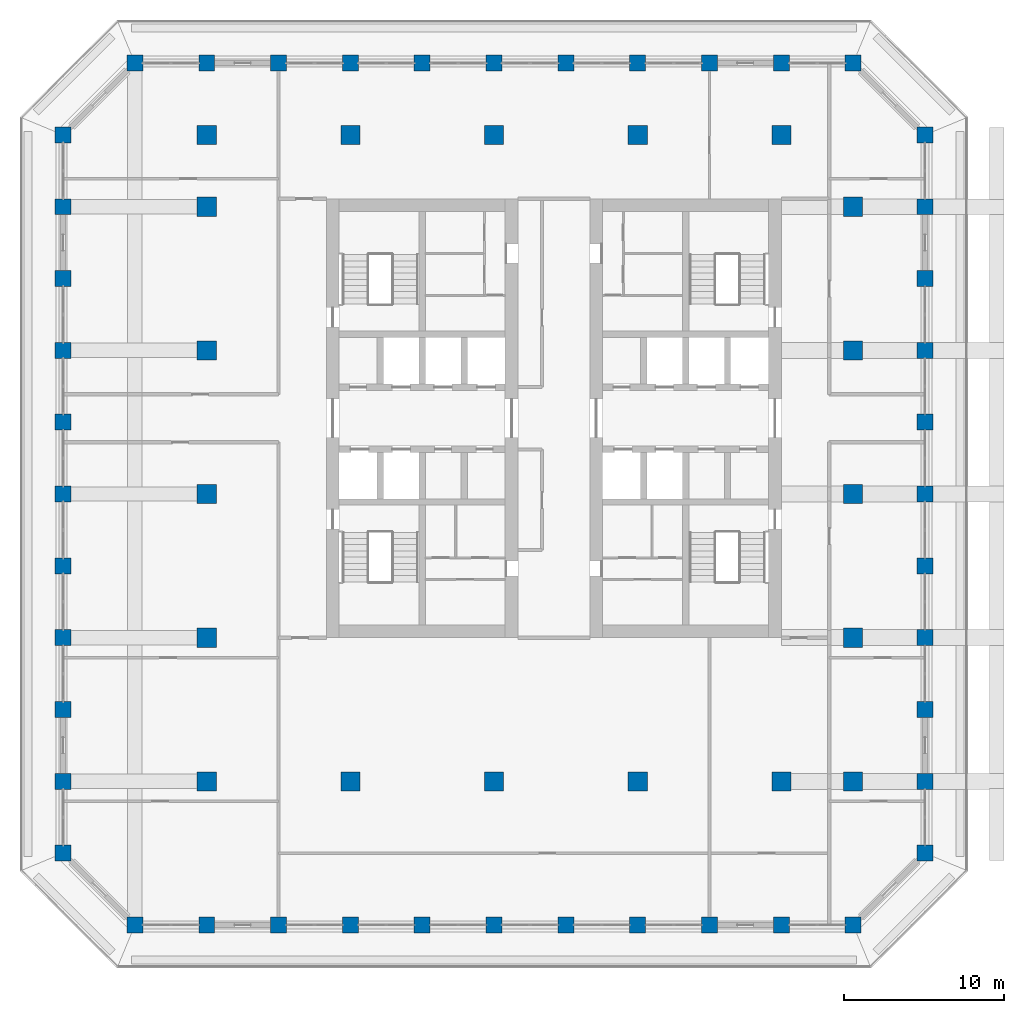
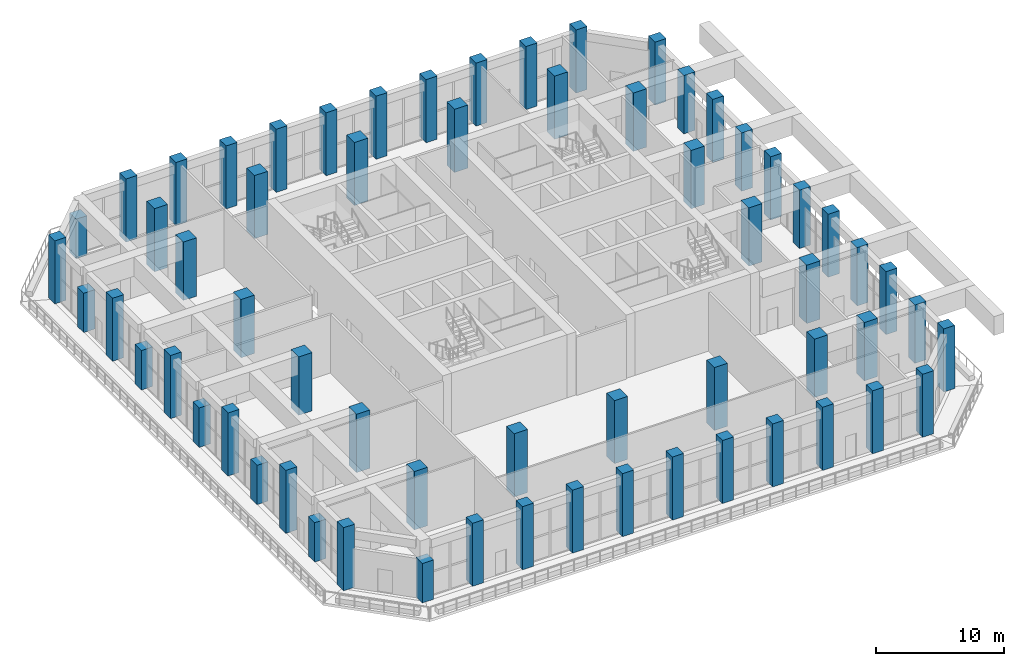
# One storey, part 1 of 25: 63 columns.
"""IFC4 building model written with IfcOpenShell, lengths in metres."""

from ifc_helpers import new_model, si_unit, direction, frame, origin, origin_2d, place, context, subcontext, project, spatial, rectangle, extrude, material, material_profile, profile_set, type_object, element, save


model = new_model("IFC4")

# Units and contexts
model_context = context("Model", 3, precision=1e-05, world=origin(), true_north=direction((0.0, 1.0)))
body_context = subcontext(model_context, "Body", "Model", "MODEL_VIEW")
ifc_project = project(units=[si_unit("LENGTHUNIT", "METRE"), si_unit("AREAUNIT", "SQUARE_METRE"), si_unit("VOLUMEUNIT", "CUBIC_METRE"), si_unit("PLANEANGLEUNIT", "RADIAN"), si_unit("MASSUNIT", "GRAM", prefix="KILO")], contexts=[model_context])

# Site, building, storey
site_placement = place(None, origin())
site = spatial("IfcSite", under=ifc_project, at=site_placement, CompositionType="ELEMENT")
building_placement = place(site_placement, origin())
building = spatial("IfcBuilding", under=site, at=building_placement, Name="Corbel Stack Research Tower", CompositionType="ELEMENT")
storey_placement = place(building_placement, frame((0.0, 0.0, 185.5)))
storey = spatial("IfcBuildingStorey", under=building, at=storey_placement, Name="L42", CompositionType="ELEMENT", Elevation=185.5)

# Columns
ifc_material_1 = material(Name="Concrete C60/75", Category="concrete")
ifc_material_profile_1 = material_profile(ifc_material_1, rectangle(XDim=1.0, YDim=1.0, at=origin_2d()), Name="RC 1000 x 1000")
ifc_profile_set_1 = profile_set([ifc_material_profile_1], Name="Concrete C60/75")
column_type_1 = type_object("IfcColumnType", Name="C-1000-60", PredefinedType="COLUMN", material=ifc_profile_set_1)
for number, where, z_axis, x_axis, name in (
    (1, (-27.0, -22.5, 0.0), (0.0, 0.0, 1.0), (1.0, 0.0, 0.0), "Column 2/C L42"),
    (2, (-27.0, -13.5, 0.0), (0.0, 0.0, 1.0), (1.0, 0.0, 0.0), "Column 2/E L42"),
    (3, (-27.0, -4.5, 0.0), (0.0, 0.0, 1.0), (1.0, 0.0, 0.0), "Column 2/G L42"),
    (4, (-27.0, 4.5, 0.0), (0.0, 0.0, 1.0), (1.0, 0.0, 0.0), "Column 2/J L42"),
    (5, (-27.0, 13.5, 0.0), (0.0, 0.0, 1.0), (1.0, 0.0, 0.0), "Column 2/L L42"),
    (6, (-27.0, 22.5, 0.0), (0.0, 0.0, 1.0), (1.0, 0.0, 0.0), "Column 2/N L42"),
    (7, (-18.0, -27.0, 0.0), (0.0, 0.0, 1.0), (1.0, 0.0, 0.0), "Column 4/B L42"),
    (8, (-18.0, 27.0, 0.0), (0.0, 0.0, 1.0), (1.0, 0.0, 0.0), "Column 4/P L42"),
    (9, (-13.5, -27.0, 0.0), (0.0, 0.0, 1.0), (1.0, 0.0, 0.0), "Column 5/B L42"),
    (10, (-13.5, 27.0, 0.0), (0.0, 0.0, 1.0), (1.0, 0.0, 0.0), "Column 5/P L42"),
    (11, (-9.0, -27.0, 0.0), (0.0, 0.0, 1.0), (1.0, 0.0, 0.0), "Column 6/B L42"),
    (12, (-9.0, 27.0, 0.0), (0.0, 0.0, 1.0), (1.0, 0.0, 0.0), "Column 6/P L42"),
    (13, (-4.5, -27.0, 0.0), (0.0, 0.0, 1.0), (1.0, 0.0, 0.0), "Column 7/B L42"),
    (14, (-4.5, 27.0, 0.0), (0.0, 0.0, 1.0), (1.0, 0.0, 0.0), "Column 7/P L42"),
    (15, (0.0, -27.0, 0.0), (0.0, 0.0, 1.0), (1.0, 0.0, 0.0), "Column 8/B L42"),
    (16, (0.0, 27.0, 0.0), (0.0, 0.0, 1.0), (1.0, 0.0, 0.0), "Column 8/P L42"),
    (17, (4.5, -27.0, 0.0), (0.0, 0.0, 1.0), (1.0, 0.0, 0.0), "Column 9/B L42"),
    (18, (4.5, 27.0, 0.0), (0.0, 0.0, 1.0), (1.0, 0.0, 0.0), "Column 9/P L42"),
    (19, (9.0, -27.0, 0.0), (0.0, 0.0, 1.0), (1.0, 0.0, 0.0), "Column 10/B L42"),
    (20, (9.0, 27.0, 0.0), (0.0, 0.0, 1.0), (1.0, 0.0, 0.0), "Column 10/P L42"),
    (21, (13.5, -27.0, 0.0), (0.0, 0.0, 1.0), (1.0, 0.0, 0.0), "Column 11/B L42"),
    (22, (13.5, 27.0, 0.0), (0.0, 0.0, 1.0), (1.0, 0.0, 0.0), "Column 11/P L42"),
    (23, (18.0, -27.0, 0.0), (0.0, 0.0, 1.0), (1.0, 0.0, 0.0), "Column 12/B L42"),
    (24, (18.0, 27.0, 0.0), (0.0, 0.0, 1.0), (1.0, 0.0, 0.0), "Column 12/P L42"),
    (25, (22.5, -27.0, 0.0), (0.0, 0.0, 1.0), (1.0, 0.0, 0.0), "Column 13/B L42"),
    (26, (22.5, 27.0, 0.0), (0.0, 0.0, 1.0), (1.0, 0.0, 0.0), "Column 13/P L42"),
    (27, (27.0, -22.5, 0.0), (0.0, 0.0, 1.0), (1.0, 0.0, 0.0), "Column 14/C L42"),
    (28, (27.0, -13.5, 0.0), (0.0, 0.0, 1.0), (1.0, 0.0, 0.0), "Column 14/E L42"),
    (29, (27.0, -4.5, 0.0), (0.0, 0.0, 1.0), (1.0, 0.0, 0.0), "Column 14/G L42"),
    (30, (27.0, 4.5, 0.0), (0.0, 0.0, 1.0), (1.0, 0.0, 0.0), "Column 14/J L42"),
    (31, (27.0, 13.5, 0.0), (0.0, 0.0, 1.0), (1.0, 0.0, 0.0), "Column 14/L L42"),
    (32, (27.0, 22.5, 0.0), (0.0, 0.0, 1.0), (1.0, 0.0, 0.0), "Column 14/N L42"),
):
    element("IfcColumn", number, at=place(storey_placement, frame(where, z_axis=z_axis, x_axis=x_axis)), inside=storey, type_object=column_type_1, Name=name, PredefinedType="COLUMN", context=body_context, shape_type="SweptSolid", body=[
        extrude(rectangle(XDim=1.0, YDim=1.0, at=origin_2d()), origin(), (0.0, 0.0, 1.0), 6.0),
    ])
ifc_material_2 = material(Name="Concrete C60/75", Category="concrete")
ifc_material_profile_2 = material_profile(ifc_material_2, rectangle(XDim=1.199951171875, YDim=1.199951171875, at=origin_2d()), Name="RC 1200 x 1200")
ifc_profile_set_2 = profile_set([ifc_material_profile_2], Name="Concrete C60/75")
column_type_2 = type_object("IfcColumnType", Name="C-1200-60", PredefinedType="COLUMN", material=ifc_profile_set_2)
for number, where, z_axis, x_axis, name in (
    (33, (-18.0, 22.5, 0.0), (0.0, 0.0, 1.0), (1.0, 0.0, 0.0), "Column 4/N L42"),
    (34, (-9.0, -18.0, 0.0), (0.0, 0.0, 1.0), (1.0, 0.0, 0.0), "Column 6/D L42"),
    (35, (-9.0, 22.5, 0.0), (0.0, 0.0, 1.0), (1.0, 0.0, 0.0), "Column 6/N L42"),
    (36, (0.0, -18.0, 0.0), (0.0, 0.0, 1.0), (1.0, 0.0, 0.0), "Column 8/D L42"),
    (37, (0.0, 22.5, 0.0), (0.0, 0.0, 1.0), (1.0, 0.0, 0.0), "Column 8/N L42"),
    (38, (9.0, -18.0, 0.0), (0.0, 0.0, 1.0), (1.0, 0.0, 0.0), "Column 10/D L42"),
    (39, (9.0, 22.5, 0.0), (0.0, 0.0, 1.0), (1.0, 0.0, 0.0), "Column 10/N L42"),
    (40, (18.0, 22.5, 0.0), (0.0, 0.0, 1.0), (1.0, 0.0, 0.0), "Column 12/N L42"),
):
    element("IfcColumn", number, at=place(storey_placement, frame(where, z_axis=z_axis, x_axis=x_axis)), inside=storey, type_object=column_type_2, Name=name, PredefinedType="COLUMN", context=body_context, shape_type="SweptSolid", body=[
        extrude(rectangle(XDim=1.199951171875, YDim=1.199951171875, at=origin_2d()), origin(), (0.0, 0.0, 1.0), 6.0),
    ])
ifc_material_3 = material(Name="Concrete C60/75", Category="concrete")
ifc_material_profile_3 = material_profile(ifc_material_3, rectangle(XDim=1.0, YDim=1.0, at=origin_2d()), Name="RC 1000 x 1000")
ifc_profile_set_3 = profile_set([ifc_material_profile_3], Name="Concrete C60/75")
column_type_3 = type_object("IfcColumnType", Name="CG-1000-60-2250", PredefinedType="COLUMN", material=ifc_profile_set_3)
for number, where, z_axis, x_axis, name in (
    (41, (-27.0, -18.0, 0.0), (0.0, 0.0, 1.0), (1.0, 0.0, 0.0), "Column 2/D L42"),
    (42, (-27.0, -9.0, 0.0), (0.0, 0.0, 1.0), (1.0, 0.0, 0.0), "Column 2/F L42"),
    (43, (-27.0, 0.0, 0.0), (0.0, 0.0, 1.0), (1.0, 0.0, 0.0), "Column 2/H L42"),
    (44, (-27.0, 9.0, 0.0), (0.0, 0.0, 1.0), (1.0, 0.0, 0.0), "Column 2/K L42"),
    (45, (-27.0, 18.0, 0.0), (0.0, 0.0, 1.0), (1.0, 0.0, 0.0), "Column 2/M L42"),
    (46, (-22.5, -27.0, 0.0), (0.0, 0.0, 1.0), (1.0, 0.0, 0.0), "Column 3/B L42"),
    (47, (-22.5, 27.0, 0.0), (0.0, 0.0, 1.0), (1.0, 0.0, 0.0), "Column 3/P L42"),
):
    element("IfcColumn", number, at=place(storey_placement, frame(where, z_axis=z_axis, x_axis=x_axis)), inside=storey, type_object=column_type_3, Name=name, PredefinedType="COLUMN", context=body_context, shape_type="SweptSolid", body=[
        extrude(rectangle(XDim=1.0, YDim=1.0, at=origin_2d()), origin(), (0.0, 0.0, 1.0), 3.75),
    ])
ifc_material_4 = material(Name="Concrete C60/75", Category="concrete")
ifc_material_profile_4 = material_profile(ifc_material_4, rectangle(XDim=1.0, YDim=1.0, at=origin_2d()), Name="RC 1000 x 1000")
ifc_profile_set_4 = profile_set([ifc_material_profile_4], Name="Concrete C60/75")
column_type_4 = type_object("IfcColumnType", Name="CG-1000-60-450", PredefinedType="COLUMN", material=ifc_profile_set_4)
for number, where, z_axis, x_axis, name in (
    (48, (27.0, -18.0, 0.0), (0.0, 0.0, 1.0), (1.0, 0.0, 0.0), "Column 14/D L42"),
    (49, (27.0, -9.0, 0.0), (0.0, 0.0, 1.0), (1.0, 0.0, 0.0), "Column 14/F L42"),
    (50, (27.0, 0.0, 0.0), (0.0, 0.0, 1.0), (1.0, 0.0, 0.0), "Column 14/H L42"),
    (51, (27.0, 9.0, 0.0), (0.0, 0.0, 1.0), (1.0, 0.0, 0.0), "Column 14/K L42"),
    (52, (27.0, 18.0, 0.0), (0.0, 0.0, 1.0), (1.0, 0.0, 0.0), "Column 14/M L42"),
):
    element("IfcColumn", number, at=place(storey_placement, frame(where, z_axis=z_axis, x_axis=x_axis)), inside=storey, type_object=column_type_4, Name=name, PredefinedType="COLUMN", context=body_context, shape_type="SweptSolid", body=[
        extrude(rectangle(XDim=1.0, YDim=1.0, at=origin_2d()), origin(), (0.0, 0.0, 1.0), 5.550048828125),
    ])
ifc_material_5 = material(Name="Concrete C60/75", Category="concrete")
ifc_material_profile_5 = material_profile(ifc_material_5, rectangle(XDim=1.199951171875, YDim=1.199951171875, at=origin_2d()), Name="RC 1200 x 1200")
ifc_profile_set_5 = profile_set([ifc_material_profile_5], Name="Concrete C60/75")
column_type_5 = type_object("IfcColumnType", Name="CG-1200-60-450", PredefinedType="COLUMN", material=ifc_profile_set_5)
for number, where, z_axis, x_axis, name in (
    (53, (-18.0, -18.0, 0.0), (0.0, 0.0, 1.0), (1.0, 0.0, 0.0), "Column 4/D L42"),
    (54, (-18.0, -9.0, 0.0), (0.0, 0.0, 1.0), (1.0, 0.0, 0.0), "Column 4/F L42"),
    (55, (-18.0, 0.0, 0.0), (0.0, 0.0, 1.0), (1.0, 0.0, 0.0), "Column 4/H L42"),
    (56, (-18.0, 9.0, 0.0), (0.0, 0.0, 1.0), (1.0, 0.0, 0.0), "Column 4/K L42"),
    (57, (-18.0, 18.0, 0.0), (0.0, 0.0, 1.0), (1.0, 0.0, 0.0), "Column 4/M L42"),
    (58, (18.0, -18.0, 0.0), (0.0, 0.0, 1.0), (1.0, 0.0, 0.0), "Column 12/D L42"),
    (59, (22.5, -18.0, 0.0), (0.0, 0.0, 1.0), (1.0, 0.0, 0.0), "Column 13/D L42"),
    (60, (22.5, -9.0, 0.0), (0.0, 0.0, 1.0), (1.0, 0.0, 0.0), "Column 13/F L42"),
    (61, (22.5, 0.0, 0.0), (0.0, 0.0, 1.0), (1.0, 0.0, 0.0), "Column 13/H L42"),
    (62, (22.5, 9.0, 0.0), (0.0, 0.0, 1.0), (1.0, 0.0, 0.0), "Column 13/K L42"),
    (63, (22.5, 18.0, 0.0), (0.0, 0.0, 1.0), (1.0, 0.0, 0.0), "Column 13/M L42"),
):
    element("IfcColumn", number, at=place(storey_placement, frame(where, z_axis=z_axis, x_axis=x_axis)), inside=storey, type_object=column_type_5, Name=name, PredefinedType="COLUMN", context=body_context, shape_type="SweptSolid", body=[
        extrude(rectangle(XDim=1.199951171875, YDim=1.199951171875, at=origin_2d()), origin(), (0.0, 0.0, 1.0), 5.550048828125),
    ])

save(model, "model.ifc")
